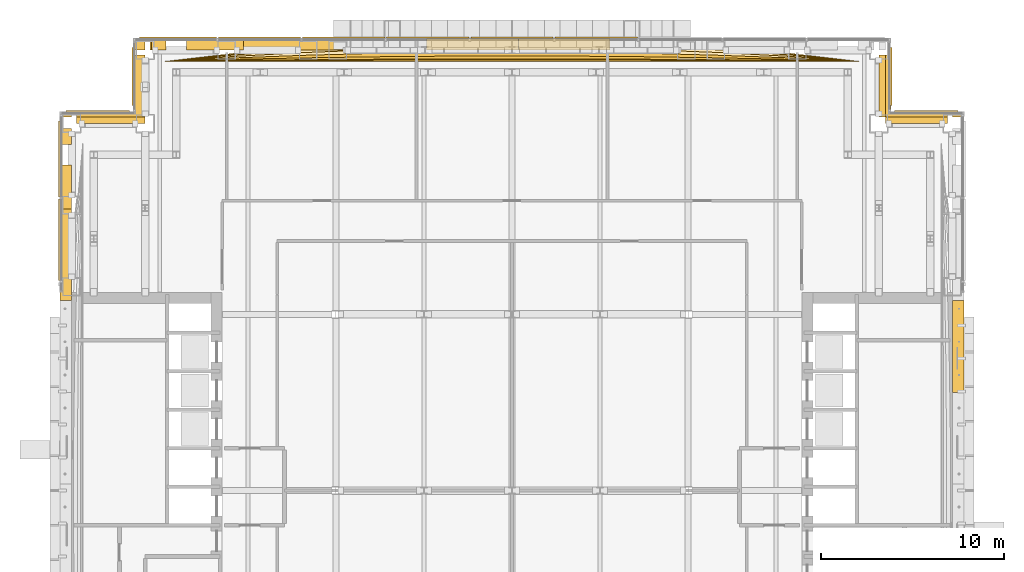
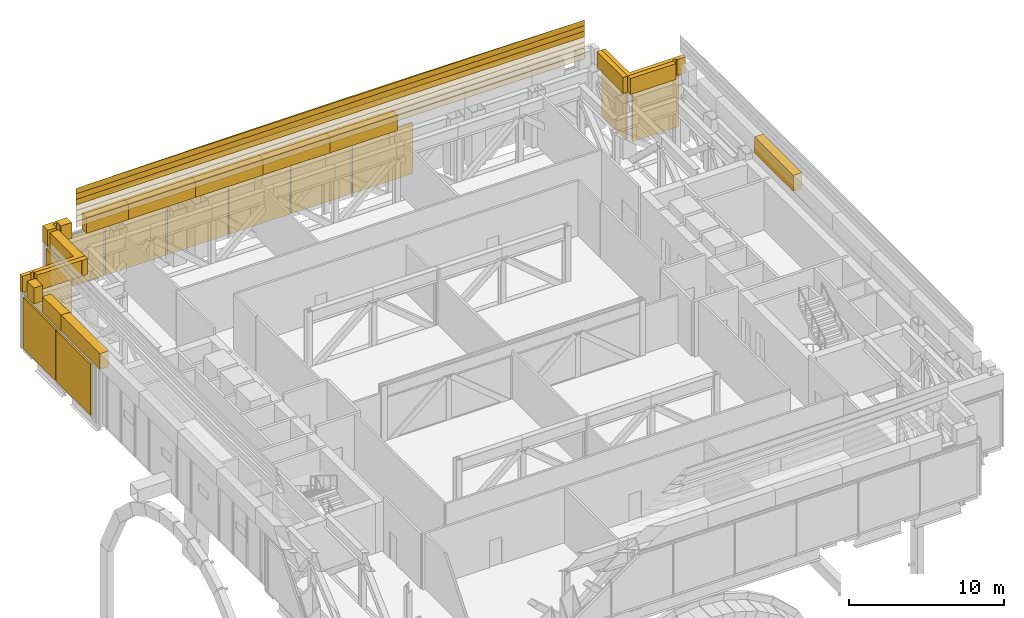
# One storey, part 36 of 39: 35 coverings.
"""IFC4 building model written with IfcOpenShell, lengths in metres."""

from ifc_helpers import new_model, si_unit, direction, frame, origin, origin_2d, place, context, subcontext, project, spatial, polyline, rectangle, outline, extrude, material, type_object, element, save


model = new_model("IFC4")

# Units and contexts
model_context = context("Model", 3, precision=1e-05, world=origin(), true_north=direction((0.0, 1.0)))
body_context = subcontext(model_context, "Body", "Model", "MODEL_VIEW")
ifc_project = project(units=[si_unit("LENGTHUNIT", "METRE"), si_unit("AREAUNIT", "SQUARE_METRE"), si_unit("VOLUMEUNIT", "CUBIC_METRE"), si_unit("PLANEANGLEUNIT", "RADIAN"), si_unit("MASSUNIT", "GRAM", prefix="KILO")], contexts=[model_context])

# Site, building, storey
site_placement = place(None, origin())
site = spatial("IfcSite", under=ifc_project, at=site_placement, CompositionType="ELEMENT")
building_placement = place(site_placement, origin())
building = spatial("IfcBuilding", under=site, at=building_placement, Name="Cobrizo Arcos Hotel Tower", CompositionType="ELEMENT")
storey_placement = place(building_placement, frame((0.0, 0.0, 84.5)))
storey = spatial("IfcBuildingStorey", under=building, at=storey_placement, Name="L20", CompositionType="ELEMENT", Elevation=84.5)

# Coverings
ifc_material_1 = material(Name="Aluminium 6063-T6 anodised pale", Category="aluminium")
covering_type_1 = type_object("IfcCoveringType", Name="LF-1 setback skirt", PredefinedType="CLADDING", material=ifc_material_1)
covering_1_placement = place(storey_placement, frame((0.0, 0.0, 4.5)))
element("IfcCovering", 1, at=covering_1_placement, inside=storey, type_object=covering_type_1, Name="Setback skirt L20", PredefinedType="CLADDING", context=body_context, shape_type="SweptSolid", body=[
    extrude(outline(polyline([(-24.64990234375, 15.35009765625), (-24.64990234375, 10.35009765625), (-24.010009765625, 10.35009765625), (-24.010009765625, 15.35009765625), (-24.64990234375, 15.35009765625)])), origin(), (0.0, 0.0, 1.0), 1.25),
])
covering_2_placement = place(storey_placement, frame((0.0, 0.0, 4.5)))
element("IfcCovering", 2, at=covering_2_placement, inside=storey, type_object=covering_type_1, Name="Setback skirt L20", PredefinedType="CLADDING", context=body_context, shape_type="SweptSolid", body=[
    extrude(outline(polyline([(-20.0, 20.0), (-20.0, 20.35009765625), (-23.739990234375, 20.35009765625), (-23.739990234375, 20.010009765625), (-20.449951171875, 20.010009765625), (-20.448974609375, 20.010009765625), (-20.447998046875, 20.009765625), (-20.447021484375, 20.009521484375), (-20.4462890625, 20.00927734375), (-20.4453125, 20.0087890625), (-20.4443359375, 20.00830078125), (-20.43310546875, 20.0), (-20.0, 20.0)])), origin(), (0.0, 0.0, 1.0), 1.25),
])
covering_3_placement = place(storey_placement, frame((0.0, 0.0, 4.5)))
element("IfcCovering", 3, at=covering_3_placement, inside=storey, type_object=covering_type_1, Name="Setback skirt L20", PredefinedType="CLADDING", context=body_context, shape_type="SweptSolid", body=[
    extrude(outline(polyline([(-24.64990234375, 17.75), (-24.64990234375, 15.35009765625), (-24.010009765625, 15.35009765625), (-24.010009765625, 17.75), (-24.64990234375, 17.75)])), origin(), (0.0, 0.0, 1.0), 1.25),
])
covering_4_placement = place(storey_placement, frame((0.0, 0.0, 4.5)))
element("IfcCovering", 4, at=covering_4_placement, inside=storey, type_object=covering_type_1, Name="Setback skirt L20", PredefinedType="CLADDING", context=body_context, shape_type="SweptSolid", body=[
    extrude(outline(polyline([(-24.010009765625, 18.85009765625), (-24.010009765625, 19.739990234375), (-24.64990234375, 19.739990234375), (-24.64990234375, 18.85009765625), (-24.010009765625, 18.85009765625)])), origin(), (0.0, 0.0, 1.0), 1.25),
])
covering_5_placement = place(storey_placement, frame((0.0, 0.0, 4.5)))
element("IfcCovering", 5, at=covering_5_placement, inside=storey, type_object=covering_type_1, Name="Setback skirt L20", PredefinedType="CLADDING", context=body_context, shape_type="SweptSolid", body=[
    extrude(outline(polyline([(-19.739990234375, 24.010009765625), (-19.64990234375, 24.010009765625), (-19.64990234375, 24.64990234375), (-20.64990234375, 24.64990234375), (-20.64990234375, 24.010009765625), (-20.010009765625, 24.010009765625), (-20.010009765625, 24.449951171875), (-20.010009765625, 24.450927734375), (-20.009765625, 24.451904296875), (-20.009521484375, 24.452880859375), (-20.00927734375, 24.453857421875), (-20.0087890625, 24.45458984375), (-20.00830078125, 24.45556640625), (-20.0078125, 24.456298828125), (-20.007080078125, 24.45703125), (-20.00634765625, 24.457763671875), (-20.005615234375, 24.458251953125), (-20.004638671875, 24.458740234375), (-20.00390625, 24.459228515625), (-20.0029296875, 24.459716796875), (-20.001953125, 24.459716796875), (-20.0009765625, 24.4599609375), (-20.0, 24.4599609375), (-19.75, 24.4599609375), (-19.7490234375, 24.4599609375), (-19.748046875, 24.459716796875), (-19.7470703125, 24.459716796875), (-19.74609375, 24.459228515625), (-19.745361328125, 24.458740234375), (-19.744384765625, 24.458251953125), (-19.74365234375, 24.457763671875), (-19.742919921875, 24.45703125), (-19.7421875, 24.456298828125), (-19.74169921875, 24.45556640625), (-19.7412109375, 24.45458984375), (-19.74072265625, 24.453857421875), (-19.740478515625, 24.452880859375), (-19.740234375, 24.451904296875), (-19.739990234375, 24.450927734375), (-19.739990234375, 24.449951171875), (-19.739990234375, 24.010009765625)])), origin(), (0.0, 0.0, 1.0), 1.25),
])
covering_6_placement = place(storey_placement, frame((0.0, 0.0, 4.5)))
element("IfcCovering", 6, at=covering_6_placement, inside=storey, type_object=covering_type_1, Name="Setback skirt L20", PredefinedType="CLADDING", context=body_context, shape_type="SweptSolid", body=[
    extrude(outline(polyline([(-20.64990234375, 23.739990234375), (-20.64990234375, 20.64990234375), (-24.64990234375, 20.64990234375), (-24.64990234375, 20.35009765625), (-24.010009765625, 20.35009765625), (-24.010009765625, 20.449951171875), (-24.010009765625, 20.450927734375), (-24.009765625, 20.451904296875), (-24.009521484375, 20.452880859375), (-24.00927734375, 20.453857421875), (-24.0087890625, 20.45458984375), (-24.00830078125, 20.45556640625), (-24.0078125, 20.456298828125), (-24.007080078125, 20.45703125), (-24.00634765625, 20.457763671875), (-24.005615234375, 20.458251953125), (-24.004638671875, 20.458740234375), (-24.00390625, 20.459228515625), (-24.0029296875, 20.459716796875), (-24.001953125, 20.459716796875), (-24.0009765625, 20.4599609375), (-24.0, 20.4599609375), (-23.75, 20.4599609375), (-23.7490234375, 20.4599609375), (-23.748046875, 20.459716796875), (-23.7470703125, 20.459716796875), (-23.74609375, 20.459228515625), (-23.745361328125, 20.458740234375), (-23.744384765625, 20.458251953125), (-23.74365234375, 20.457763671875), (-23.742919921875, 20.45703125), (-23.7421875, 20.456298828125), (-23.74169921875, 20.45556640625), (-23.7412109375, 20.45458984375), (-23.74072265625, 20.453857421875), (-23.740478515625, 20.452880859375), (-23.740234375, 20.451904296875), (-23.739990234375, 20.450927734375), (-23.739990234375, 20.449951171875), (-23.739990234375, 20.35009765625), (-20.0, 20.35009765625), (-20.0, 20.68310546875), (-20.00830078125, 20.6943359375), (-20.0087890625, 20.6953125), (-20.00927734375, 20.6962890625), (-20.009521484375, 20.697021484375), (-20.009765625, 20.697998046875), (-20.010009765625, 20.698974609375), (-20.010009765625, 20.699951171875), (-20.010009765625, 23.739990234375), (-20.64990234375, 23.739990234375)])), origin(), (0.0, 0.0, 1.0), 1.25),
])
covering_7_placement = place(storey_placement, frame((0.0, 0.0, 4.5)))
element("IfcCovering", 7, at=covering_7_placement, inside=storey, type_object=covering_type_1, Name="Setback skirt L20", PredefinedType="CLADDING", context=body_context, shape_type="SweptSolid", body=[
    extrude(outline(polyline([(-17.75, 24.010009765625), (-14.64990234375, 24.010009765625), (-14.64990234375, 24.64990234375), (-17.75, 24.64990234375), (-17.75, 24.010009765625)])), origin(), (0.0, 0.0, 1.0), 1.25),
])
covering_8_placement = place(storey_placement, frame((0.0, 0.0, 4.5)))
element("IfcCovering", 8, at=covering_8_placement, inside=storey, type_object=covering_type_1, Name="Setback skirt L20", PredefinedType="CLADDING", context=body_context, shape_type="SweptSolid", body=[
    extrude(outline(polyline([(-18.85009765625, 24.010009765625), (-18.85009765625, 24.64990234375), (-19.64990234375, 24.64990234375), (-19.64990234375, 24.010009765625), (-18.85009765625, 24.010009765625)])), origin(), (0.0, 0.0, 1.0), 1.25),
])
covering_9_placement = place(storey_placement, frame((0.0, 0.0, 4.5)))
element("IfcCovering", 9, at=covering_9_placement, inside=storey, type_object=covering_type_1, Name="Setback skirt L20", PredefinedType="CLADDING", context=body_context, shape_type="SweptSolid", body=[
    extrude(outline(polyline([(-14.64990234375, 24.010009765625), (-9.64990234375, 24.010009765625), (-9.64990234375, 24.64990234375), (-14.64990234375, 24.64990234375), (-14.64990234375, 24.010009765625)])), origin(), (0.0, 0.0, 1.0), 1.25),
])
covering_10_placement = place(storey_placement, frame((0.0, 0.0, 4.5)))
element("IfcCovering", 10, at=covering_10_placement, inside=storey, type_object=covering_type_1, Name="Setback skirt L20", PredefinedType="CLADDING", context=body_context, shape_type="SweptSolid", body=[
    extrude(outline(polyline([(-9.64990234375, 24.010009765625), (-4.64990234375, 24.010009765625), (-4.64990234375, 24.64990234375), (-9.64990234375, 24.64990234375), (-9.64990234375, 24.010009765625)])), origin(), (0.0, 0.0, 1.0), 1.25),
])
covering_11_placement = place(storey_placement, frame((0.0, 0.0, 4.5)))
element("IfcCovering", 11, at=covering_11_placement, inside=storey, type_object=covering_type_1, Name="Setback skirt L20", PredefinedType="CLADDING", context=body_context, shape_type="SweptSolid", body=[
    extrude(outline(polyline([(-4.64990234375, 24.010009765625), (0.35009765625, 24.010009765625), (0.35009765625, 24.64990234375), (-4.64990234375, 24.64990234375), (-4.64990234375, 24.010009765625)])), origin(), (0.0, 0.0, 1.0), 1.25),
])
covering_12_placement = place(storey_placement, frame((0.0, 0.0, 4.5)))
element("IfcCovering", 12, at=covering_12_placement, inside=storey, type_object=covering_type_1, Name="Setback skirt L20", PredefinedType="CLADDING", context=body_context, shape_type="SweptSolid", body=[
    extrude(outline(polyline([(0.35009765625, 24.010009765625), (5.35009765625, 24.010009765625), (5.35009765625, 24.64990234375), (0.35009765625, 24.64990234375), (0.35009765625, 24.010009765625)])), origin(), (0.0, 0.0, 1.0), 1.25),
])
covering_13_placement = place(storey_placement, frame((0.0, 0.0, 4.5)))
element("IfcCovering", 13, at=covering_13_placement, inside=storey, type_object=covering_type_1, Name="Setback skirt L20", PredefinedType="CLADDING", context=body_context, shape_type="SweptSolid", body=[
    extrude(outline(polyline([(20.00830078125, 20.6943359375), (20.0, 20.68310546875), (20.0, 20.35009765625), (20.35009765625, 20.35009765625), (20.35009765625, 23.739990234375), (20.010009765625, 23.739990234375), (20.010009765625, 20.699951171875), (20.010009765625, 20.698974609375), (20.009765625, 20.697998046875), (20.009521484375, 20.697021484375), (20.00927734375, 20.6962890625), (20.0087890625, 20.6953125), (20.00830078125, 20.6943359375)])), origin(), (0.0, 0.0, 1.0), 1.25),
])
covering_14_placement = place(storey_placement, frame((0.0, 0.0, 4.5)))
element("IfcCovering", 14, at=covering_14_placement, inside=storey, type_object=covering_type_1, Name="Setback skirt L20", PredefinedType="CLADDING", context=body_context, shape_type="SweptSolid", body=[
    extrude(outline(polyline([(24.64990234375, 5.35009765625), (24.64990234375, 10.35009765625), (24.010009765625, 10.35009765625), (24.010009765625, 5.35009765625), (24.64990234375, 5.35009765625)])), origin(), (0.0, 0.0, 1.0), 1.25),
])
covering_15_placement = place(storey_placement, frame((0.0, 0.0, 4.5)))
element("IfcCovering", 15, at=covering_15_placement, inside=storey, type_object=covering_type_1, Name="Setback skirt L20", PredefinedType="CLADDING", context=body_context, shape_type="SweptSolid", body=[
    extrude(outline(polyline([(23.739990234375, 20.010009765625), (23.739990234375, 20.35009765625), (20.35009765625, 20.35009765625), (20.35009765625, 20.0), (20.43310546875, 20.0), (20.4443359375, 20.00830078125), (20.4453125, 20.0087890625), (20.4462890625, 20.00927734375), (20.447021484375, 20.009521484375), (20.447998046875, 20.009765625), (20.448974609375, 20.010009765625), (20.449951171875, 20.010009765625), (23.739990234375, 20.010009765625)])), origin(), (0.0, 0.0, 1.0), 1.25),
])
covering_16_placement = place(storey_placement, frame((0.0, 0.0, 4.5)))
element("IfcCovering", 16, at=covering_16_placement, inside=storey, type_object=covering_type_1, Name="Setback skirt L20", PredefinedType="CLADDING", context=body_context, shape_type="SweptSolid", body=[
    extrude(outline(polyline([(20.64990234375, 23.739990234375), (20.35009765625, 23.739990234375), (20.35009765625, 20.35009765625), (23.739990234375, 20.35009765625), (23.739990234375, 20.449951171875), (23.739990234375, 20.450927734375), (23.740234375, 20.451904296875), (23.740478515625, 20.452880859375), (23.74072265625, 20.453857421875), (23.7412109375, 20.45458984375), (23.74169921875, 20.45556640625), (23.7421875, 20.456298828125), (23.742919921875, 20.45703125), (23.74365234375, 20.457763671875), (23.744384765625, 20.458251953125), (23.745361328125, 20.458740234375), (23.74609375, 20.459228515625), (23.7470703125, 20.459716796875), (23.748046875, 20.459716796875), (23.7490234375, 20.4599609375), (23.75, 20.4599609375), (24.0, 20.4599609375), (24.0009765625, 20.4599609375), (24.001953125, 20.459716796875), (24.0029296875, 20.459716796875), (24.00390625, 20.459228515625), (24.004638671875, 20.458740234375), (24.005615234375, 20.458251953125), (24.00634765625, 20.457763671875), (24.007080078125, 20.45703125), (24.0078125, 20.456298828125), (24.00830078125, 20.45556640625), (24.0087890625, 20.45458984375), (24.00927734375, 20.453857421875), (24.009521484375, 20.452880859375), (24.009765625, 20.451904296875), (24.010009765625, 20.450927734375), (24.010009765625, 20.449951171875), (24.010009765625, 20.35009765625), (24.64990234375, 20.35009765625), (24.64990234375, 20.64990234375), (20.64990234375, 20.64990234375), (20.64990234375, 23.739990234375)])), origin(), (0.0, 0.0, 1.0), 1.25),
])
covering_type_2 = type_object("IfcCoveringType", Name="LF-2 setback roll course", PredefinedType="CLADDING", material=ifc_material_1)
covering_17_placement = place(storey_placement, frame((0.0, 0.0, 5.75)))
element("IfcCovering", 17, at=covering_17_placement, inside=storey, type_object=covering_type_2, Name="Setback roll L20 N", PredefinedType="CLADDING", context=body_context, shape_type="SweptSolid", body=[
    extrude(outline(polyline([(18.89990234375, 23.39990234375), (15.1201171875, 23.844970703125), (11.340087890625, 24.19091796875), (7.56005859375, 24.438232421875), (3.780029296875, 24.58642578125), (0.0, 24.635986328125), (-3.780029296875, 24.58642578125), (-7.56005859375, 24.438232421875), (-11.340087890625, 24.19091796875), (-15.1201171875, 23.844970703125), (-18.89990234375, 23.39990234375), (-18.89990234375, 23.39990234375), (18.89990234375, 23.39990234375)])), origin(), (0.0, 0.0, 1.0), 0.4375),
])
covering_18_placement = place(storey_placement, frame((0.0, 0.0, 6.1875)))
element("IfcCovering", 18, at=covering_18_placement, inside=storey, type_object=covering_type_2, Name="Setback roll L20 N", PredefinedType="CLADDING", context=body_context, shape_type="SweptSolid", body=[
    extrude(outline(polyline([(18.89990234375, 23.39990234375), (15.1201171875, 23.80859375), (11.340087890625, 24.126220703125), (7.56005859375, 24.35302734375), (3.780029296875, 24.4892578125), (0.0, 24.53466796875), (-3.780029296875, 24.4892578125), (-7.56005859375, 24.35302734375), (-11.340087890625, 24.126220703125), (-15.1201171875, 23.80859375), (-18.89990234375, 23.39990234375), (-18.89990234375, 23.39990234375), (18.89990234375, 23.39990234375)])), origin(), (0.0, 0.0, 1.0), 0.4375),
])
covering_19_placement = place(storey_placement, frame((0.0, 0.0, 6.625)))
element("IfcCovering", 19, at=covering_19_placement, inside=storey, type_object=covering_type_2, Name="Setback roll L20 N", PredefinedType="CLADDING", context=body_context, shape_type="SweptSolid", body=[
    extrude(outline(polyline([(18.89990234375, 23.39990234375), (15.1201171875, 23.74560546875), (11.340087890625, 24.014404296875), (7.56005859375, 24.20654296875), (3.780029296875, 24.32177734375), (0.0, 24.360107421875), (-3.780029296875, 24.32177734375), (-7.56005859375, 24.20654296875), (-11.340087890625, 24.014404296875), (-15.1201171875, 23.74560546875), (-18.89990234375, 23.39990234375), (-18.89990234375, 23.39990234375), (18.89990234375, 23.39990234375)])), origin(), (0.0, 0.0, 1.0), 0.4375),
])
covering_20_placement = place(storey_placement, frame((0.0, 0.0, 7.0625)))
element("IfcCovering", 20, at=covering_20_placement, inside=storey, type_object=covering_type_2, Name="Setback roll L20 N", PredefinedType="CLADDING", context=body_context, shape_type="SweptSolid", body=[
    extrude(outline(polyline([(18.89990234375, 23.39990234375), (15.1201171875, 23.6669921875), (11.340087890625, 23.87451171875), (7.56005859375, 24.02294921875), (3.780029296875, 24.11181640625), (0.0, 24.1416015625), (-3.780029296875, 24.11181640625), (-7.56005859375, 24.02294921875), (-11.340087890625, 23.87451171875), (-15.1201171875, 23.6669921875), (-18.89990234375, 23.39990234375), (-18.89990234375, 23.39990234375), (18.89990234375, 23.39990234375)])), origin(), (0.0, 0.0, 1.0), 0.4375),
])
covering_21_placement = place(storey_placement, frame((0.0, 0.0, 7.5)))
element("IfcCovering", 21, at=covering_21_placement, inside=storey, type_object=covering_type_2, Name="Setback roll L20 N", PredefinedType="CLADDING", context=body_context, shape_type="SweptSolid", body=[
    extrude(outline(polyline([(18.89990234375, 23.39990234375), (15.1201171875, 23.5830078125), (11.340087890625, 23.725341796875), (7.56005859375, 23.8271484375), (3.780029296875, 23.88818359375), (0.0, 23.908447265625), (-3.780029296875, 23.88818359375), (-7.56005859375, 23.8271484375), (-11.340087890625, 23.725341796875), (-15.1201171875, 23.5830078125), (-18.89990234375, 23.39990234375), (-18.89990234375, 23.39990234375), (18.89990234375, 23.39990234375)])), origin(), (0.0, 0.0, 1.0), 0.4375),
])
covering_22_placement = place(storey_placement, frame((0.0, 0.0, 7.9375)))
element("IfcCovering", 22, at=covering_22_placement, inside=storey, type_object=covering_type_2, Name="Setback roll L20 N", PredefinedType="CLADDING", context=body_context, shape_type="SweptSolid", body=[
    extrude(outline(polyline([(18.89990234375, 23.39990234375), (15.1201171875, 23.50439453125), (11.340087890625, 23.58544921875), (7.56005859375, 23.6435546875), (3.780029296875, 23.67822265625), (0.0, 23.68994140625), (-3.780029296875, 23.67822265625), (-7.56005859375, 23.6435546875), (-11.340087890625, 23.58544921875), (-15.1201171875, 23.50439453125), (-18.89990234375, 23.39990234375), (-18.89990234375, 23.39990234375), (18.89990234375, 23.39990234375)])), origin(), (0.0, 0.0, 1.0), 0.4375),
])
covering_23_placement = place(storey_placement, frame((0.0, 0.0, 8.375)))
element("IfcCovering", 23, at=covering_23_placement, inside=storey, type_object=covering_type_2, Name="Setback roll L20 N", PredefinedType="CLADDING", context=body_context, shape_type="SweptSolid", body=[
    extrude(outline(polyline([(18.89990234375, 23.39990234375), (15.1201171875, 23.44140625), (11.340087890625, 23.473876953125), (7.56005859375, 23.496826171875), (3.780029296875, 23.5107421875), (0.0, 23.515380859375), (-3.780029296875, 23.5107421875), (-7.56005859375, 23.496826171875), (-11.340087890625, 23.473876953125), (-15.1201171875, 23.44140625), (-18.89990234375, 23.39990234375), (-18.89990234375, 23.39990234375), (18.89990234375, 23.39990234375)])), origin(), (0.0, 0.0, 1.0), 0.4375),
])
ifc_material_2 = material(Name="Aluminium 6063-T6 anodised bronze", Category="aluminium")
covering_type_3 = type_object("IfcCoveringType", Name="LV-1 plant louvre band", PredefinedType="CLADDING", material=ifc_material_2)
covering_24_placement = place(storey_placement, frame((22.574951171875, 20.655029296875, 0.25), z_axis=(0.0, 0.0, 1.0), x_axis=(-1.0, 0.0, 0.0)))
element("IfcCovering", 24, at=covering_24_placement, inside=storey, type_object=covering_type_3, Name="louvre band 830", PredefinedType="CLADDING", context=body_context, shape_type="SweptSolid", body=[
    extrude(rectangle(XDim=3.449951171875, YDim=0.1201171875, at=origin_2d()), origin(), (0.0, 0.0, 1.0), 4.0),
])
covering_25_placement = place(storey_placement, frame((20.655029296875, 22.574951171875, 0.25), z_axis=(0.0, 0.0, 1.0), x_axis=(0.0, 1.0, 0.0)))
element("IfcCovering", 25, at=covering_25_placement, inside=storey, type_object=covering_type_3, Name="louvre band 831", PredefinedType="CLADDING", context=body_context, shape_type="SweptSolid", body=[
    extrude(rectangle(XDim=3.14990234375, YDim=0.1201171875, at=origin_2d()), origin(), (0.0, 0.0, 1.0), 4.0),
])
for number, where, z_axis, x_axis, name in (
    (26, (4.5888671875, 24.655029296875, 0.25), (0.0, 0.0, 1.0), (-1.0, 0.0, 0.0), "louvre band 835"),
    (27, (0.0, 24.655029296875, 0.25), (0.0, 0.0, 1.0), (-1.0, 0.0, 0.0), "louvre band 836"),
    (28, (-4.5888671875, 24.655029296875, 0.25), (0.0, 0.0, 1.0), (-1.0, 0.0, 0.0), "louvre band 837"),
    (29, (-9.177734375, 24.655029296875, 0.25), (0.0, 0.0, 1.0), (-1.0, 0.0, 0.0), "louvre band 838"),
    (30, (-13.7666015625, 24.655029296875, 0.25), (0.0, 0.0, 1.0), (-1.0, 0.0, 0.0), "louvre band 839"),
):
    element("IfcCovering", number, at=place(storey_placement, frame(where, z_axis=z_axis, x_axis=x_axis)), inside=storey, type_object=covering_type_3, Name=name, PredefinedType="CLADDING", context=body_context, shape_type="SweptSolid", body=[
        extrude(rectangle(XDim=4.48876953125, YDim=0.1201171875, at=origin_2d()), origin(), (0.0, 0.0, 1.0), 4.0),
    ])
covering_26_placement = place(storey_placement, frame((-18.20556640625, 24.655029296875, 0.25), z_axis=(0.0, 0.0, 1.0), x_axis=(-1.0, 0.0, 0.0)))
element("IfcCovering", 31, at=covering_26_placement, inside=storey, type_object=covering_type_3, Name="louvre band 840", PredefinedType="CLADDING", context=body_context, shape_type="SweptSolid", body=[
    extrude(rectangle(XDim=4.18896484375, YDim=0.1201171875, at=origin_2d()), origin(), (0.0, 0.0, 1.0), 4.0),
])
covering_27_placement = place(storey_placement, frame((-20.655029296875, 22.574951171875, 0.25), z_axis=(0.0, 0.0, 1.0), x_axis=(0.0, -1.0, 0.0)))
element("IfcCovering", 32, at=covering_27_placement, inside=storey, type_object=covering_type_3, Name="louvre band 841", PredefinedType="CLADDING", context=body_context, shape_type="SweptSolid", body=[
    extrude(rectangle(XDim=3.14990234375, YDim=0.1201171875, at=origin_2d()), origin(), (0.0, 0.0, 1.0), 4.0),
])
covering_28_placement = place(storey_placement, frame((-22.574951171875, 20.655029296875, 0.25), z_axis=(0.0, 0.0, 1.0), x_axis=(-1.0, 0.0, 0.0)))
element("IfcCovering", 33, at=covering_28_placement, inside=storey, type_object=covering_type_3, Name="louvre band 842", PredefinedType="CLADDING", context=body_context, shape_type="SweptSolid", body=[
    extrude(rectangle(XDim=3.449951171875, YDim=0.1201171875, at=origin_2d()), origin(), (0.0, 0.0, 1.0), 4.0),
])
covering_29_placement = place(storey_placement, frame((-24.655029296875, 18.072265625, 0.25), z_axis=(0.0, 0.0, 1.0), x_axis=(0.0, -1.0, 0.0)))
element("IfcCovering", 34, at=covering_29_placement, inside=storey, type_object=covering_type_3, Name="louvre band 843", PredefinedType="CLADDING", context=body_context, shape_type="SweptSolid", body=[
    extrude(rectangle(XDim=4.155517578125, YDim=0.1201171875, at=origin_2d()), origin(), (0.0, 0.0, 1.0), 4.0),
])
covering_30_placement = place(storey_placement, frame((-24.655029296875, 13.666748046875, 0.25), z_axis=(0.0, 0.0, 1.0), x_axis=(0.0, -1.0, 0.0)))
element("IfcCovering", 35, at=covering_30_placement, inside=storey, type_object=covering_type_3, Name="louvre band 844", PredefinedType="CLADDING", context=body_context, shape_type="SweptSolid", body=[
    extrude(rectangle(XDim=4.45556640625, YDim=0.1201171875, at=origin_2d()), origin(), (0.0, 0.0, 1.0), 4.0),
])

save(model, "model.ifc")
